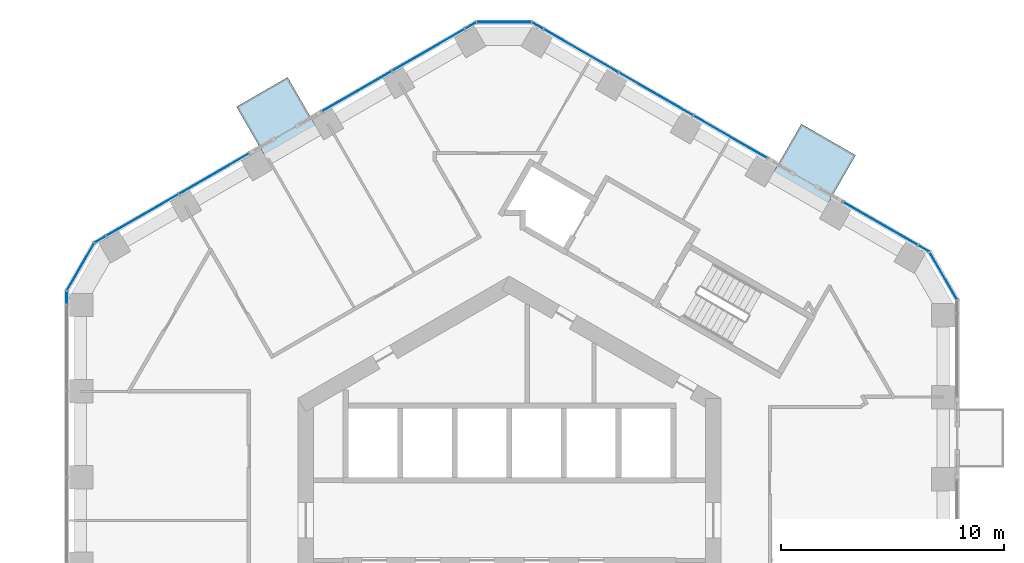
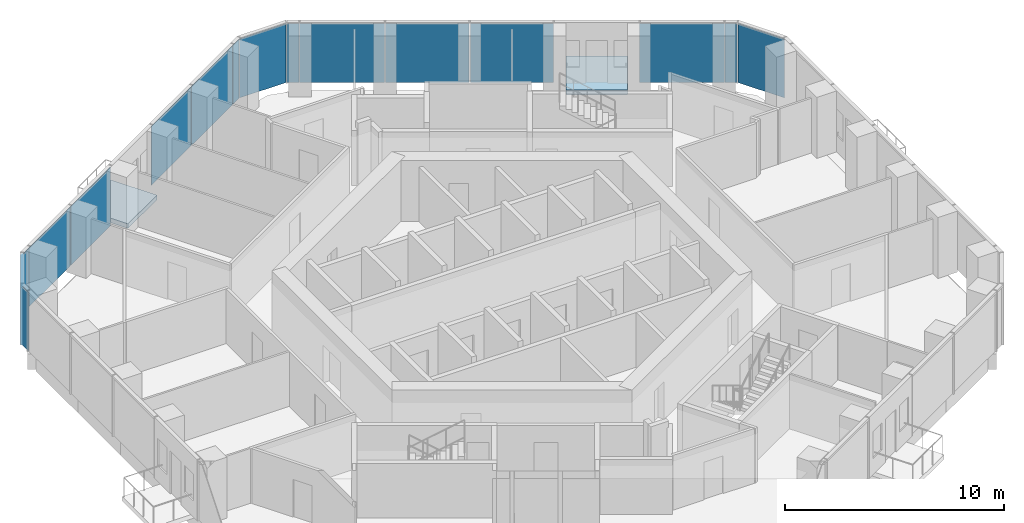
# One storey, part 12 of 20: 16 plates, 2 slabs, 7 elements without a shape of their own.
"""IFC4 building model written with IfcOpenShell, lengths in metres."""

import ifcopenshell
import ifcopenshell.guid

model = None  # the IFC model being written
_history = None  # IfcOwnerHistory: only IFC2X3 demands one
_inside = {}  # id of a spatial element -> (the spatial element, [elements in it])
_under = {}  # id of a project, library or spatial element -> (it, [spatial elements below it])
_declared = {}  # id of a project -> (the project, [libraries it declares])
_typed = {}  # id of a type object -> (the type object, [elements of that type])
_made_of = {}  # id of a material, layer set ... -> (it, [elements and type objects made of it])


def new_model(schema):
    """Start an empty IFC model of exactly this schema.

    Asked for "IFC4X3", IfcOpenShell would pick the latest addendum, in which some entities
    have other attributes; the version numbers below select the first issue.
    IFC2X3 requires an IfcOwnerHistory on every rooted entity: one is made here for all.
    """
    global model, _history
    if schema == "IFC4X3":
        model = ifcopenshell.file(schema_version=(4, 3, 0, 0))
    else:
        model = ifcopenshell.file(schema=schema)
    _inside.clear()
    _under.clear()
    _declared.clear()
    _typed.clear()
    _made_of.clear()
    _history = None
    if model.schema == "IFC2X3":
        org = make("IfcOrganization", Name="unknown")
        user = make(
            "IfcPersonAndOrganization",
            ThePerson=make("IfcPerson", FamilyName="unknown"),
            TheOrganization=org,
        )
        app = make(
            "IfcApplication",
            ApplicationDeveloper=org,
            Version="unknown",
            ApplicationFullName="unknown",
            ApplicationIdentifier="unknown",
        )
        _history = make(
            "IfcOwnerHistory",
            OwningUser=user,
            OwningApplication=app,
            ChangeAction="ADDED",
            CreationDate=0,
        )
    return model


def make(cls, **values):
    """One entity of the class cls with the attributes given. An attribute that is None is left unset."""
    return model.create_entity(
        cls, **{name: value for name, value in values.items() if value is not None}
    )


def rooted(cls, **values):
    """An entity with a GlobalId (a new one), such as an element, a storey or a relation."""
    return make(cls, GlobalId=ifcopenshell.guid.new(), OwnerHistory=_history, **values)


def si_unit(unit_type, name, prefix=None):
    """IfcSIUnit, for example si_unit("LENGTHUNIT", "METRE", prefix="MILLI")."""
    return make("IfcSIUnit", UnitType=unit_type, Prefix=prefix, Name=name)


def assignment(units):
    """IfcUnitAssignment: the units of a project."""
    return None if units is None else make("IfcUnitAssignment", Units=units)


def point(xyz):
    """IfcCartesianPoint."""
    return None if xyz is None else make("IfcCartesianPoint", Coordinates=xyz)


def direction(xyz):
    """IfcDirection."""
    return None if xyz is None else make("IfcDirection", DirectionRatios=xyz)


def frame(location, z_axis=None, x_axis=None):
    """IfcAxis2Placement3D, a coordinate frame: its origin and axes. An axis left out is left unset."""
    return make(
        "IfcAxis2Placement3D",
        Location=point(location),
        Axis=direction(z_axis),
        RefDirection=direction(x_axis),
    )


def frame_2d(location, x_axis=None):
    """IfcAxis2Placement2D, a coordinate frame in the plane: its origin and x axis."""
    return make(
        "IfcAxis2Placement2D", Location=point(location), RefDirection=direction(x_axis)
    )


def origin():
    """The frame at (0, 0, 0) with its axes left unset."""
    return frame((0.0, 0.0, 0.0))


def origin_2d():
    """The frame at (0, 0) in the plane with its x axis left unset."""
    return frame_2d((0.0, 0.0))


def place(relative_to, where):
    """IfcLocalPlacement: puts the frame where relative to a parent placement (None: the world)."""
    return make(
        "IfcLocalPlacement", PlacementRelTo=relative_to, RelativePlacement=where
    )


def context(
    kind, dimensions, precision=None, world=None, true_north=None, identifier=None
):
    """IfcGeometricRepresentationContext, for example the 3D "Model" context."""
    return make(
        "IfcGeometricRepresentationContext",
        ContextIdentifier=identifier,
        ContextType=kind,
        CoordinateSpaceDimension=dimensions,
        Precision=precision,
        WorldCoordinateSystem=world,
        TrueNorth=true_north,
    )


def subcontext(parent, identifier, kind, view, scale=None):
    """IfcGeometricRepresentationSubContext, for example "Body" below "Model"."""
    return make(
        "IfcGeometricRepresentationSubContext",
        ContextIdentifier=identifier,
        ContextType=kind,
        ParentContext=parent,
        TargetScale=scale,
        TargetView=view,
    )


def project(units=None, contexts=None):
    """IfcProject with its units and contexts."""
    return rooted(
        "IfcProject",
        Name="project",
        RepresentationContexts=contexts,
        UnitsInContext=assignment(units),
    )


def spatial(cls, under=None, at=None, **own):
    """A site, building, storey or space (cls), placed at a placement, below another one or the project."""
    s = rooted(cls, ObjectPlacement=at, **own)
    if under is not None:
        _under.setdefault(under.id(), (under, []))[1].append(s)
    return s


def polyline(points):
    """IfcPolyline through the points."""
    return make("IfcPolyline", Points=[point(p) for p in points])


def profile(cls, at=None, kind="AREA", **sizes):
    """A parametric profile (cls). Its sizes go by their IFC names, for example OverallWidth=200.0."""
    return make(cls, ProfileType=kind, Position=at, **sizes)


def rectangle(**sizes):
    """IfcRectangleProfileDef."""
    return profile("IfcRectangleProfileDef", **sizes)


def outline(outer, holes=None, kind="AREA"):
    """IfcArbitraryClosedProfileDef: a profile drawn as a closed curve; with holes, ...WithVoids."""
    if holes is None:
        return make("IfcArbitraryClosedProfileDef", ProfileType=kind, OuterCurve=outer)
    return make(
        "IfcArbitraryProfileDefWithVoids",
        ProfileType=kind,
        OuterCurve=outer,
        InnerCurves=holes,
    )


def extrude(swept, where, along, depth):
    """IfcExtrudedAreaSolid: the profile swept, set in the frame where, extruded along a direction by depth."""
    return make(
        "IfcExtrudedAreaSolid",
        SweptArea=swept,
        Position=where,
        ExtrudedDirection=direction(along),
        Depth=depth,
    )


def shape(context_of_items, identifier, shape_type, items):
    """IfcShapeRepresentation: the items that make up one representation, for example the "Body"."""
    return make(
        "IfcShapeRepresentation",
        ContextOfItems=context_of_items,
        RepresentationIdentifier=identifier,
        RepresentationType=shape_type,
        Items=items,
    )


def material(Name=None, Category=None):
    """IfcMaterial."""
    return make("IfcMaterial", Name=Name, Category=Category)


def layer(
    of_material, thickness, ventilated=None, Name=None, Category=None, Priority=None
):
    """IfcMaterialLayer: one layer of a wall or slab, of a material (None: an air gap)."""
    return make(
        "IfcMaterialLayer",
        Material=of_material,
        LayerThickness=thickness,
        IsVentilated=ventilated,
        Name=Name,
        Category=Category,
        Priority=Priority,
    )


def layer_set(layers, Name=None):
    """IfcMaterialLayerSet."""
    return make("IfcMaterialLayerSet", MaterialLayers=layers, LayerSetName=Name)


def made_of(thing, what):
    """Note that an element or type object is made of a material, layer set ...; save() writes the relation."""
    if what is not None:
        _made_of.setdefault(what.id(), (what, []))[1].append(thing)
    return thing


def type_object(cls, material=None, **own):
    """A type object (cls), such as IfcWallType, which elements share."""
    return made_of(rooted(cls, **own), material)


def element(
    cls,
    number,
    at=None,
    inside=None,
    cuts=None,
    type_object=None,
    material=None,
    context=None,
    identifier="Body",
    shape_type=None,
    held_by="IfcProductDefinitionShape",
    body=None,
    shapes=None,
    **own,
):
    """One element of the class cls, such as IfcWall. Its Tag is "e" and its number.

    at: its placement. inside: the storey or other place that contains it. cuts: it is an
    opening in that element (IfcRelVoidsElement). A single representation is given by context,
    identifier, shape_type and body (its items); several are given by shapes. held_by: the class
    of the entity that holds the representations. save() writes the other relations.
    """
    e = rooted(cls, Tag="e%d" % number, ObjectPlacement=at, **own)
    if body is not None:
        shapes = [shape(context, identifier, shape_type, body)]
    if shapes is not None:
        e.Representation = make(held_by, Representations=shapes)
    if inside is not None:
        _inside.setdefault(inside.id(), (inside, []))[1].append(e)
    if cuts is not None:
        rooted(
            "IfcRelVoidsElement", RelatingBuildingElement=cuts, RelatedOpeningElement=e
        )
    if type_object is not None:
        _typed.setdefault(type_object.id(), (type_object, []))[1].append(e)
    return made_of(e, material)


def aggregate(whole, parts):
    """IfcRelAggregates: a whole, such as a stair, and the parts it consists of."""
    return rooted("IfcRelAggregates", RelatingObject=whole, RelatedObjects=parts)


def save(model, path):
    """Write the relations noted so far, then the file.

    IfcRelAggregates (storeys below a building ...), IfcRelContainedInSpatialStructure (elements
    in a storey), IfcRelDefinesByType, IfcRelAssociatesMaterial and IfcRelDeclares: one each for
    every whole, place, type object, material and project.
    """
    for whole, parts in _under.values():
        aggregate(whole, parts)
    for where, things in _inside.values():
        rooted(
            "IfcRelContainedInSpatialStructure",
            RelatedElements=things,
            RelatingStructure=where,
        )
    for kind, things in _typed.values():
        rooted("IfcRelDefinesByType", RelatedObjects=things, RelatingType=kind)
    for what, things in _made_of.values():
        rooted("IfcRelAssociatesMaterial", RelatedObjects=things, RelatingMaterial=what)
    for by, libraries in _declared.values():
        rooted("IfcRelDeclares", RelatingContext=by, RelatedDefinitions=libraries)
    model.write(path)


model = new_model("IFC4")

# Units and contexts
model_context = context("Model", 3, precision=1e-05, world=origin(), true_north=direction((0.0, 1.0)))
body_context = subcontext(model_context, "Body", "Model", "MODEL_VIEW")
ifc_project = project(units=[si_unit("LENGTHUNIT", "METRE"), si_unit("AREAUNIT", "SQUARE_METRE"), si_unit("VOLUMEUNIT", "CUBIC_METRE"), si_unit("PLANEANGLEUNIT", "RADIAN"), si_unit("MASSUNIT", "GRAM", prefix="KILO")], contexts=[model_context])

# Site, building, storey
site_placement = place(None, origin())
site = spatial("IfcSite", under=ifc_project, at=site_placement, CompositionType="ELEMENT")
building_placement = place(site_placement, origin())
building = spatial("IfcBuilding", under=site, at=building_placement, Name="Ayvan Gate Tower", CompositionType="ELEMENT")
storey_placement = place(building_placement, frame((0.0, 0.0, 96.699951171875)))
storey = spatial("IfcBuildingStorey", under=building, at=storey_placement, Name="L25", CompositionType="ELEMENT", Elevation=96.699951171875)

# Slabs
ifc_material_1 = material(Name="Concrete C40/50", Category="concrete")
ifc_layer_1 = layer(ifc_material_1, 0.25)
ifc_layer_set_1 = layer_set([ifc_layer_1], Name="Concrete C40/50")
slab_type = type_object("IfcSlabType", Name="Balcony slab 250", PredefinedType="FLOOR", material=ifc_layer_set_1)
slab_1_placement = place(storey_placement, frame((0.0, 0.0, -0.25)))
element("IfcSlab", 1, at=slab_1_placement, inside=storey, type_object=slab_type, Name="Balcony slab BAL-L25-2", PredefinedType="FLOOR", context=body_context, shape_type="SweptSolid", body=[
    extrude(outline(polyline([(-8.596435546875, 17.536865234375), (-10.88916015625, 16.213134765625), (-12.251708984375, 18.572998046875), (-9.958984375, 19.896728515625), (-8.596435546875, 17.536865234375)])), origin(), (0.0, 0.0, 1.0), 0.25),
])
slab_2_placement = place(storey_placement, frame((0.0, 0.0, -0.25)))
element("IfcSlab", 2, at=slab_2_placement, inside=storey, type_object=slab_type, Name="Balcony slab BAL-L25-1", PredefinedType="FLOOR", context=body_context, shape_type="SweptSolid", body=[
    extrude(outline(polyline([(14.186279296875, 14.035400390625), (11.751220703125, 15.44140625), (13.113525390625, 17.80126953125), (15.548828125, 16.395263671875), (14.186279296875, 14.035400390625)])), origin(), (0.0, 0.0, 1.0), 0.25),
])

# Curtain wall, plates
ifc_material_2 = material(Name="Bronze anodised aluminium", Category="aluminium")
ifc_layer_2 = layer(ifc_material_2, 0.199951171875)
ifc_layer_set_2 = layer_set([ifc_layer_2], Name="Bronze anodised aluminium")
curtain_wall_type_1 = type_object("IfcCurtainWallType", Name="Stick curtain wall CW-1", PredefinedType="NOTDEFINED", material=ifc_layer_set_2)
curtain_wall_1_placement = place(storey_placement, origin())
curtain_wall_1 = element("IfcCurtainWall", 3, at=curtain_wall_1_placement, inside=storey, type_object=curtain_wall_type_1, Name="Stick curtain wall CW-1 L25", PredefinedType="NOTDEFINED")
ifc_material_3 = material(Name="Clear low-iron laminated glass", Category="glass")
ifc_layer_3 = layer(ifc_material_3, 0.028076171875)
ifc_layer_set_3 = layer_set([ifc_layer_3], Name="Clear low-iron laminated glass")
plate_type_1 = type_object("IfcPlateType", Name="Stick curtain wall CW-1 glass panel", PredefinedType="CURTAIN_PANEL", material=ifc_layer_set_3)
plate_1_placement = place(storey_placement, frame((-3.6240234375, 21.12939453125, 0.0), z_axis=(0.0, 0.0, 1.0), x_axis=(-0.866025403784, -0.5, 0.0)))
plate_1 = element("IfcPlate", 4, at=plate_1_placement, type_object=plate_type_1, Name="CW-1 glass panel 1", PredefinedType="CURTAIN_PANEL", context=body_context, shape_type="SweptSolid", body=[
    extrude(rectangle(XDim=3.739990234375, YDim=0.028076171875, at=origin_2d()), origin(), (0.0, 0.0, 1.0), 3.280029296875),
])
plate_2_placement = place(storey_placement, frame((-6.86474609375, 19.25830078125, 0.0), z_axis=(0.0, 0.0, 1.0), x_axis=(-0.866025403784, -0.5, 0.0)))
plate_2 = element("IfcPlate", 5, at=plate_2_placement, type_object=plate_type_1, Name="CW-1 glass panel 2", PredefinedType="CURTAIN_PANEL", context=body_context, shape_type="SweptSolid", body=[
    extrude(rectangle(XDim=3.6240234375, YDim=0.028076171875, at=origin_2d()), origin(), (0.0, 0.0, 1.0), 3.280029296875),
])
aggregate(curtain_wall_1, [plate_1, plate_2])

curtain_wall_2_placement = place(storey_placement, origin())
curtain_wall_2 = element("IfcCurtainWall", 6, at=curtain_wall_2_placement, inside=storey, type_object=curtain_wall_type_1, Name="Stick curtain wall CW-1 L25", PredefinedType="NOTDEFINED")
plate_3_placement = place(storey_placement, frame((-13.24560546875, 15.57421875, 0.0), z_axis=(0.0, 0.0, 1.0), x_axis=(-0.866025403784, -0.5, 0.0)))
plate_3 = element("IfcPlate", 7, at=plate_3_placement, type_object=plate_type_1, Name="CW-1 glass panel 1", PredefinedType="CURTAIN_PANEL", context=body_context, shape_type="SweptSolid", body=[
    extrude(rectangle(XDim=3.6240234375, YDim=0.028076171875, at=origin_2d()), origin(), (0.0, 0.0, 1.0), 3.280029296875),
])
plate_4_placement = place(storey_placement, frame((-16.486328125, 13.703369140625, 0.0), z_axis=(0.0, 0.0, 1.0), x_axis=(-0.866025403784, -0.5, 0.0)))
plate_4 = element("IfcPlate", 8, at=plate_4_placement, type_object=plate_type_1, Name="CW-1 glass panel 2", PredefinedType="CURTAIN_PANEL", context=body_context, shape_type="SweptSolid", body=[
    extrude(rectangle(XDim=3.740234375, YDim=0.028076171875, at=origin_2d()), origin(), (0.0, 0.0, 1.0), 3.280029296875),
])
aggregate(curtain_wall_2, [plate_3, plate_4])

# Curtain wall, plate
curtain_wall_3_placement = place(storey_placement, origin())
curtain_wall_3 = element("IfcCurtainWall", 9, at=curtain_wall_3_placement, inside=storey, type_object=curtain_wall_type_1, Name="Stick curtain wall CW-1 L25", PredefinedType="NOTDEFINED")
plate_5_placement = place(storey_placement, frame((16.665771484375, 13.325439453125, 0.0), z_axis=(0.0, 0.0, 1.0), x_axis=(-0.866025403784, 0.5, 0.0)))
plate_5 = element("IfcPlate", 10, at=plate_5_placement, type_object=plate_type_1, Name="CW-1 glass panel 1", PredefinedType="CURTAIN_PANEL", context=body_context, shape_type="SweptSolid", body=[
    extrude(rectangle(XDim=3.8740234375, YDim=0.028076171875, at=origin_2d()), origin(), (0.0, 0.0, 1.0), 3.280029296875),
])
aggregate(curtain_wall_3, [plate_5])

# Curtain wall, plates
curtain_wall_4_placement = place(storey_placement, origin())
curtain_wall_4 = element("IfcCurtainWall", 11, at=curtain_wall_4_placement, inside=storey, type_object=curtain_wall_type_1, Name="Stick curtain wall CW-1 L25", PredefinedType="NOTDEFINED")
plate_6_placement = place(storey_placement, frame((9.9365234375, 17.210693359375, 0.0), z_axis=(0.0, 0.0, 1.0), x_axis=(-0.866025403784, 0.5, 0.0)))
plate_6 = element("IfcPlate", 12, at=plate_6_placement, type_object=plate_type_1, Name="CW-1 glass panel 1", PredefinedType="CURTAIN_PANEL", context=body_context, shape_type="SweptSolid", body=[
    extrude(rectangle(XDim=3.80908203125, YDim=0.028076171875, at=origin_2d()), origin(), (0.0, 0.0, 1.0), 3.280029296875),
])
plate_7_placement = place(storey_placement, frame((6.585693359375, 19.145263671875, 0.0), z_axis=(0.0, 0.0, 1.0), x_axis=(-0.866025403784, 0.5, 0.0)))
plate_7 = element("IfcPlate", 13, at=plate_7_placement, type_object=plate_type_1, Name="CW-1 glass panel 2", PredefinedType="CURTAIN_PANEL", context=body_context, shape_type="SweptSolid", body=[
    extrude(rectangle(XDim=3.80908203125, YDim=0.028076171875, at=origin_2d()), origin(), (0.0, 0.0, 1.0), 3.280029296875),
])
plate_8_placement = place(storey_placement, frame((3.20703125, 21.095947265625, 0.0), z_axis=(0.0, 0.0, 1.0), x_axis=(-0.866025403784, 0.5, 0.0)))
plate_8 = element("IfcPlate", 14, at=plate_8_placement, type_object=plate_type_1, Name="CW-1 glass panel 3", PredefinedType="CURTAIN_PANEL", context=body_context, shape_type="SweptSolid", body=[
    extrude(rectangle(XDim=3.87353515625, YDim=0.028076171875, at=origin_2d()), origin(), (0.0, 0.0, 1.0), 3.280029296875),
])
aggregate(curtain_wall_4, [plate_6, plate_7, plate_8])

ifc_layer_4 = layer(ifc_material_2, 0.199951171875)
ifc_layer_set_4 = layer_set([ifc_layer_4], Name="Bronze anodised aluminium")
curtain_wall_type_2 = type_object("IfcCurtainWallType", Name="Stick curtain wall CW-6", PredefinedType="NOTDEFINED", material=ifc_layer_set_4)
curtain_wall_5_placement = place(storey_placement, origin())
curtain_wall_5 = element("IfcCurtainWall", 15, at=curtain_wall_5_placement, inside=storey, type_object=curtain_wall_type_2, Name="Stick curtain wall CW-6 L25", PredefinedType="NOTDEFINED")
ifc_layer_5 = layer(ifc_material_3, 0.028076171875)
ifc_layer_set_5 = layer_set([ifc_layer_5], Name="Clear low-iron laminated glass")
plate_type_2 = type_object("IfcPlateType", Name="Stick curtain wall CW-6 glass panel", PredefinedType="CURTAIN_PANEL", material=ifc_layer_set_5)
plate_9_placement = place(storey_placement, frame((-18.3701171875, 12.61572265625, 0.0), z_axis=(0.0, 0.0, 1.0), x_axis=(-0.866025403784, -0.5, 0.0)))
plate_9 = element("IfcPlate", 16, at=plate_9_placement, type_object=plate_type_2, Name="CW-6 glass panel 1", PredefinedType="CURTAIN_PANEL", context=body_context, shape_type="SweptSolid", body=[
    extrude(rectangle(XDim=0.550048828125, YDim=0.028076171875, at=origin_2d()), origin(), (0.0, 0.0, 1.0), 3.280029296875),
])
plate_10_placement = place(storey_placement, frame((-19.25146484375, 11.388916015625, 0.0), z_axis=(0.0, 0.0, 1.0), x_axis=(-0.5, -0.866025403784, 0.0)))
plate_10 = element("IfcPlate", 17, at=plate_10_placement, type_object=plate_type_2, Name="CW-6 glass panel 2", PredefinedType="CURTAIN_PANEL", context=body_context, shape_type="SweptSolid", body=[
    extrude(rectangle(XDim=2.4365234375, YDim=0.028076171875, at=origin_2d()), origin(), (0.0, 0.0, 1.0), 3.280029296875),
])
plate_11_placement = place(storey_placement, frame((-19.873291015625, 10.01220703125, 0.0), z_axis=(0.0, 0.0, 1.0), x_axis=(0.0, -1.0, 0.0)))
plate_11 = element("IfcPlate", 18, at=plate_11_placement, type_object=plate_type_2, Name="CW-6 glass panel 3", PredefinedType="CURTAIN_PANEL", context=body_context, shape_type="SweptSolid", body=[
    extrude(rectangle(XDim=0.550048828125, YDim=0.028076171875, at=origin_2d()), origin(), (0.0, 0.0, 1.0), 3.280029296875),
])
aggregate(curtain_wall_5, [plate_9, plate_10, plate_11])

curtain_wall_6_placement = place(storey_placement, origin())
curtain_wall_6 = element("IfcCurtainWall", 19, at=curtain_wall_6_placement, inside=storey, type_object=curtain_wall_type_2, Name="Stick curtain wall CW-6 L25", PredefinedType="NOTDEFINED")
plate_12_placement = place(storey_placement, frame((19.489013671875, 10.977783203125, 0.0), z_axis=(0.0, 0.0, 1.0), x_axis=(-0.5, 0.866025403784, 0.0)))
plate_12 = element("IfcPlate", 20, at=plate_12_placement, type_object=plate_type_2, Name="CW-6 glass panel 2", PredefinedType="CURTAIN_PANEL", context=body_context, shape_type="SweptSolid", body=[
    extrude(rectangle(XDim=2.4365234375, YDim=0.028076171875, at=origin_2d()), origin(), (0.0, 0.0, 1.0), 3.280029296875),
])
plate_13_placement = place(storey_placement, frame((18.607421875, 12.20458984375, 0.0), z_axis=(0.0, 0.0, 1.0), x_axis=(-0.866025403784, 0.5, 0.0)))
plate_13 = element("IfcPlate", 21, at=plate_13_placement, type_object=plate_type_2, Name="CW-6 glass panel 3", PredefinedType="CURTAIN_PANEL", context=body_context, shape_type="SweptSolid", body=[
    extrude(rectangle(XDim=0.550048828125, YDim=0.028076171875, at=origin_2d()), origin(), (0.0, 0.0, 1.0), 3.280029296875),
])
aggregate(curtain_wall_6, [plate_12, plate_13])

curtain_wall_7_placement = place(storey_placement, origin())
curtain_wall_7 = element("IfcCurtainWall", 22, at=curtain_wall_7_placement, inside=storey, type_object=curtain_wall_type_2, Name="Stick curtain wall CW-6 L25", PredefinedType="NOTDEFINED")
plate_14_placement = place(storey_placement, frame((1.265625, 22.216796875, 0.0), z_axis=(0.0, 0.0, 1.0), x_axis=(-0.866025403784, 0.5, 0.0)))
plate_14 = element("IfcPlate", 23, at=plate_14_placement, type_object=plate_type_2, Name="CW-6 glass panel 1", PredefinedType="CURTAIN_PANEL", context=body_context, shape_type="SweptSolid", body=[
    extrude(rectangle(XDim=0.550048828125, YDim=0.028076171875, at=origin_2d()), origin(), (0.0, 0.0, 1.0), 3.280029296875),
])
plate_15_placement = place(storey_placement, frame((-0.2373046875, 22.366943359375, 0.0), z_axis=(0.0, 0.0, 1.0), x_axis=(-1.0, 0.0, 0.0)))
plate_15 = element("IfcPlate", 24, at=plate_15_placement, type_object=plate_type_2, Name="CW-6 glass panel 2", PredefinedType="CURTAIN_PANEL", context=body_context, shape_type="SweptSolid", body=[
    extrude(rectangle(XDim=2.4365234375, YDim=0.028076171875, at=origin_2d()), origin(), (0.0, 0.0, 1.0), 3.280029296875),
])
plate_16_placement = place(storey_placement, frame((-1.740478515625, 22.216796875, 0.0), z_axis=(0.0, 0.0, 1.0), x_axis=(-0.866025403784, -0.5, 0.0)))
plate_16 = element("IfcPlate", 25, at=plate_16_placement, type_object=plate_type_2, Name="CW-6 glass panel 3", PredefinedType="CURTAIN_PANEL", context=body_context, shape_type="SweptSolid", body=[
    extrude(rectangle(XDim=0.550048828125, YDim=0.028076171875, at=origin_2d()), origin(), (0.0, 0.0, 1.0), 3.280029296875),
])
aggregate(curtain_wall_7, [plate_14, plate_15, plate_16])

save(model, "model.ifc")
